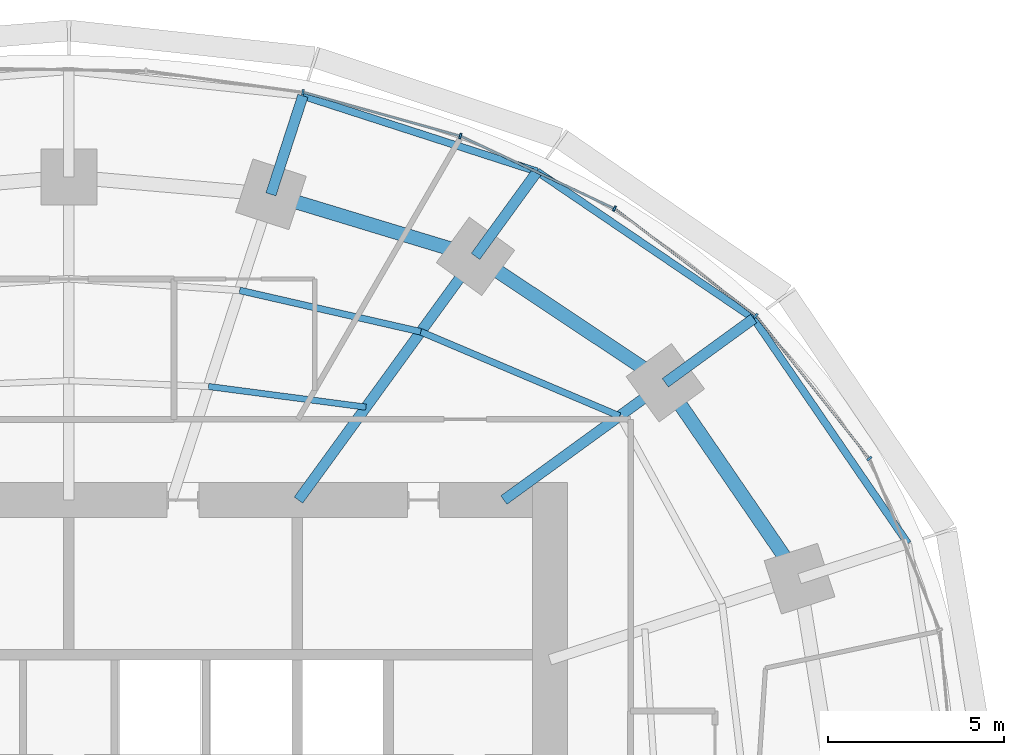
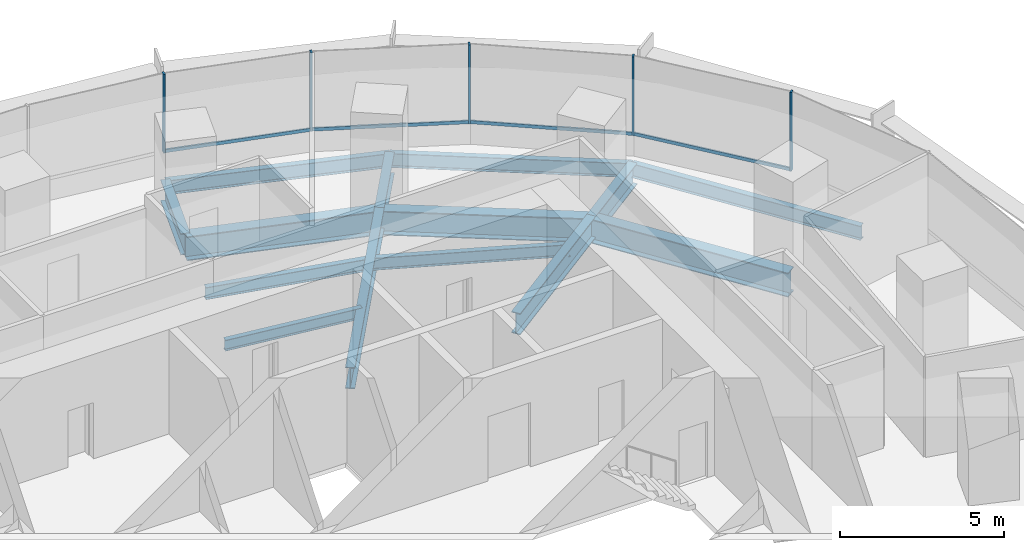
# One storey, part 8 of 14: 14 beams, 9 members, 2 elements without a shape of their own.
"""IFC4 building model written with IfcOpenShell, lengths in metres."""

from ifc_helpers import new_model, si_unit, direction, frame, origin, origin_2d, place, context, subcontext, project, spatial, rectangle, i_section, extrude, material, material_profile, profile_set, type_object, element, aggregate, save


model = new_model("IFC4")

# Units and contexts
model_context = context("Model", 3, precision=1e-05, world=origin(), true_north=direction((0.0, 1.0)))
body_context = subcontext(model_context, "Body", "Model", "MODEL_VIEW")
ifc_project = project(units=[si_unit("LENGTHUNIT", "METRE"), si_unit("AREAUNIT", "SQUARE_METRE"), si_unit("VOLUMEUNIT", "CUBIC_METRE"), si_unit("PLANEANGLEUNIT", "RADIAN"), si_unit("MASSUNIT", "GRAM", prefix="KILO")], contexts=[model_context])

# Site, building, storey
site_placement = place(None, origin())
site = spatial("IfcSite", under=ifc_project, at=site_placement, CompositionType="ELEMENT")
building_placement = place(site_placement, origin())
building = spatial("IfcBuilding", under=site, at=building_placement, Name="Marramba Exchange Tower", CompositionType="ELEMENT")
storey_placement = place(building_placement, frame((0.0, 0.0, 123.60009765625)))
storey = spatial("IfcBuildingStorey", under=building, at=storey_placement, Name="L29", CompositionType="ELEMENT", Elevation=123.60009765625)

# Beams
ifc_material_1 = material(Name="Steel AS/NZS 3679.2 grade 300", Category="steel")
ifc_material_profile_1 = material_profile(ifc_material_1, i_section(OverallWidth=0.300048828125, OverallDepth=0.800048828125, WebThickness=0.013916015625, FlangeThickness=0.031982421875, at=origin_2d()), Name="800WB192")
ifc_profile_set_1 = profile_set([ifc_material_profile_1], Name="Steel AS/NZS 3679.2 grade 300")
beam_type_1 = type_object("IfcBeamType", Name="Cantilever girder 800WB192", PredefinedType="BEAM", material=ifc_profile_set_1)
beam_1_placement = place(storey_placement, frame((16.98583984375, 12.3408203125, -0.56005859375), z_axis=(0.809013970709, 0.58778941399, 0.0), x_axis=(-0.58778941399, 0.809013970709, 0.0)))
element("IfcBeam", 1, at=beam_1_placement, inside=storey, type_object=beam_type_1, Name="Cantilever girder L29 TC03", PredefinedType="BEAM", context=body_context, shape_type="SweptSolid", body=[
    extrude(i_section(OverallWidth=0.300048828125, OverallDepth=0.800048828125, WebThickness=0.013916015625, FlangeThickness=0.031982421875, at=origin_2d()), origin(), (0.0, 0.0, 1.0), 3.1142578125),
])
beam_2_placement = place(storey_placement, frame((11.581298828125, 15.9404296875, -0.56005859375), z_axis=(0.587821738214, 0.808990484544, 0.0), x_axis=(-0.808990484544, 0.587821738214, 0.0)))
element("IfcBeam", 2, at=beam_2_placement, inside=storey, type_object=beam_type_1, Name="Cantilever girder L29 TC04", PredefinedType="BEAM", context=body_context, shape_type="SweptSolid", body=[
    extrude(i_section(OverallWidth=0.300048828125, OverallDepth=0.800048828125, WebThickness=0.013916015625, FlangeThickness=0.031982421875, at=origin_2d()), origin(), (0.0, 0.0, 1.0), 2.987060546875),
])
beam_3_placement = place(storey_placement, frame((5.75390625, 17.70849609375, -0.56005859375), z_axis=(0.309018704887, 0.951055960514, 0.0), x_axis=(-0.951055960514, 0.309018704887, 0.0)))
element("IfcBeam", 3, at=beam_3_placement, inside=storey, type_object=beam_type_1, Name="Cantilever girder L29 TC05", PredefinedType="BEAM", context=body_context, shape_type="SweptSolid", body=[
    extrude(i_section(OverallWidth=0.300048828125, OverallDepth=0.800048828125, WebThickness=0.013916015625, FlangeThickness=0.031982421875, at=origin_2d()), origin(), (0.0, 0.0, 1.0), 2.949951171875),
])
ifc_material_2 = material(Name="Steel AS/NZS 3679.1 grade 300", Category="steel")
ifc_material_profile_2 = material_profile(ifc_material_2, i_section(OverallWidth=0.177978515625, OverallDepth=0.406005859375, WebThickness=0.0078125, FlangeThickness=0.0126953125, FilletRadius=0.011474609375, at=origin_2d()), Name="410UB59.7")
ifc_profile_set_2 = profile_set([ifc_material_profile_2], Name="Steel AS/NZS 3679.1 grade 300")
beam_type_2 = type_object("IfcBeamType", Name="Floor joist 410UB59.7", PredefinedType="JOIST", material=ifc_profile_set_2)
beam_4_placement = place(storey_placement, frame((8.4619140625, 11.646728515625, -0.363037109375), z_axis=(-0.991480538255, 0.130254912618, 0.0), x_axis=(-0.130254912618, -0.991480538255, 0.0)))
element("IfcBeam", 4, at=beam_4_placement, inside=storey, type_object=beam_type_2, Name="Joist L29 bay 04 row 1", PredefinedType="JOIST", context=body_context, shape_type="SweptSolid", body=[
    extrude(i_section(OverallWidth=0.177978515625, OverallDepth=0.406005859375, WebThickness=0.0078125, FlangeThickness=0.0126953125, FilletRadius=0.011474609375, at=origin_2d()), origin(), (0.0, 0.0, 1.0), 4.524658203125),
])
ifc_material_profile_3 = material_profile(ifc_material_2, i_section(OverallWidth=0.18994140625, OverallDepth=0.4541015625, WebThickness=0.008544921875, FlangeThickness=0.0126953125, FilletRadius=0.011474609375, at=origin_2d()), Name="460UB67.1")
ifc_profile_set_3 = profile_set([ifc_material_profile_3], Name="Steel AS/NZS 3679.1 grade 300")
beam_type_3 = type_object("IfcBeamType", Name="Floor joist 460UB67.1", PredefinedType="JOIST", material=ifc_profile_set_3)
beam_5_placement = place(storey_placement, frame((15.682373046875, 11.393798828125, -0.38720703125), z_axis=(-0.920674336375, 0.390331610738, 0.0), x_axis=(-0.390331610738, -0.920674336375, 0.0)))
element("IfcBeam", 5, at=beam_5_placement, inside=storey, type_object=beam_type_3, Name="Joist L29 bay 03 row 2", PredefinedType="JOIST", context=body_context, shape_type="SweptSolid", body=[
    extrude(i_section(OverallWidth=0.18994140625, OverallDepth=0.4541015625, WebThickness=0.008544921875, FlangeThickness=0.0126953125, FilletRadius=0.011474609375, at=origin_2d()), origin(), (0.0, 0.0, 1.0), 6.1484375),
])
beam_6_placement = place(storey_placement, frame((10.021728515625, 13.793701171875, -0.38720703125), z_axis=(-0.974859652292, 0.222819788916, 0.0), x_axis=(-0.222819788916, -0.974859652292, 0.0)))
element("IfcBeam", 6, at=beam_6_placement, inside=storey, type_object=beam_type_3, Name="Joist L29 bay 04 row 2", PredefinedType="JOIST", context=body_context, shape_type="SweptSolid", body=[
    extrude(i_section(OverallWidth=0.18994140625, OverallDepth=0.4541015625, WebThickness=0.008544921875, FlangeThickness=0.0126953125, FilletRadius=0.011474609375, at=origin_2d()), origin(), (0.0, 0.0, 1.0), 5.2900390625),
])

# Curtain wall, members
ifc_material_3 = material(Name="Aluminium framing, bronze anodised", Category="aluminium")
curtain_wall_type = type_object("IfcCurtainWallType", Name="Office ribbon curtain wall", PredefinedType="USERDEFINED", material=ifc_material_3)
curtain_wall_1_placement = place(storey_placement, origin())
curtain_wall_1 = element("IfcCurtainWall", 7, at=curtain_wall_1_placement, inside=storey, type_object=curtain_wall_type, Name="Curtain wall CW4 L29 F01-F05", ObjectType="RIBBON CURTAIN WALL", PredefinedType="USERDEFINED")
ifc_material_4 = material(Name="Aluminium mullion, bronze anodised", Category="aluminium")
ifc_material_profile_4 = material_profile(ifc_material_4, rectangle(XDim=0.159912109375, YDim=0.06005859375, at=origin_2d()), Name="CW4 mullion 60x160")
ifc_profile_set_4 = profile_set([ifc_material_profile_4], Name="Aluminium mullion, bronze anodised")
member_type_1 = type_object("IfcMemberType", Name="Office ribbon curtain wall mullion", PredefinedType="MULLION", material=ifc_profile_set_4)
member_1_placement = place(storey_placement, frame((22.796630859375, 10.181640625, 0.7998046875), z_axis=(0.0, 0.0, 1.0), x_axis=(-0.783563266703, -0.621312004611, 0.0)))
member_1 = element("IfcMember", 8, at=member_1_placement, type_object=member_type_1, Name="CW4 mullion 1", PredefinedType="MULLION", context=body_context, shape_type="SweptSolid", body=[
    extrude(rectangle(XDim=0.159912109375, YDim=0.06005859375, at=origin_2d()), origin(), (0.0, 0.0, 1.0), 2.940185546875),
])
member_2_placement = place(storey_placement, frame((19.5625, 14.24853515625, 0.7998046875), z_axis=(0.0, 0.0, 1.0), x_axis=(-0.60533377223, -0.795971748366, 0.0)))
member_2 = element("IfcMember", 9, at=member_2_placement, type_object=member_type_1, Name="CW4 mullion 1", PredefinedType="MULLION", context=body_context, shape_type="SweptSolid", body=[
    extrude(rectangle(XDim=0.159912109375, YDim=0.06005859375, at=origin_2d()), origin(), (0.0, 0.0, 1.0), 2.940185546875),
])
member_3_placement = place(storey_placement, frame((15.538818359375, 17.300537109375, 0.7998046875), z_axis=(0.0, 0.0, 1.0), x_axis=(-0.426678995157, -0.904403137485, 0.0)))
member_3 = element("IfcMember", 10, at=member_3_placement, type_object=member_type_1, Name="CW4 mullion 1", PredefinedType="MULLION", context=body_context, shape_type="SweptSolid", body=[
    extrude(rectangle(XDim=0.159912109375, YDim=0.06005859375, at=origin_2d()), origin(), (0.0, 0.0, 1.0), 2.940185546875),
])

curtain_wall_2_placement = place(storey_placement, origin())
curtain_wall_2 = element("IfcCurtainWall", 11, at=curtain_wall_2_placement, inside=storey, type_object=curtain_wall_type, Name="Curtain wall CW4 L29 F06-F10", ObjectType="RIBBON CURTAIN WALL", PredefinedType="USERDEFINED")
member_4_placement = place(storey_placement, frame((11.147705078125, 19.366455078125, 0.7998046875), z_axis=(0.0, 0.0, 1.0), x_axis=(-0.268865090816, -0.963177845956, 0.0)))
member_4 = element("IfcMember", 12, at=member_4_placement, type_object=member_type_1, Name="CW4 mullion 1", PredefinedType="MULLION", context=body_context, shape_type="SweptSolid", body=[
    extrude(rectangle(XDim=0.159912109375, YDim=0.06005859375, at=origin_2d()), origin(), (0.0, 0.0, 1.0), 2.940185546875),
])
member_5_placement = place(storey_placement, frame((6.66650390625, 20.61328125, 0.7998046875), z_axis=(0.0, 0.0, 1.0), x_axis=(-0.135785837319, -0.990738212841, 0.0)))
member_5 = element("IfcMember", 13, at=member_5_placement, type_object=member_type_1, Name="CW4 mullion 1", PredefinedType="MULLION", context=body_context, shape_type="SweptSolid", body=[
    extrude(rectangle(XDim=0.159912109375, YDim=0.06005859375, at=origin_2d()), origin(), (0.0, 0.0, 1.0), 2.940185546875),
])

# Member
ifc_material_5 = material(Name="Aluminium transom, bronze anodised", Category="aluminium")
ifc_material_profile_5 = material_profile(ifc_material_5, rectangle(XDim=0.06005859375, YDim=0.1201171875, at=origin_2d()), Name="CW4 transom 60x120")
ifc_profile_set_5 = profile_set([ifc_material_profile_5], Name="Aluminium transom, bronze anodised")
member_type_2 = type_object("IfcMemberType", Name="Office ribbon curtain wall transom", PredefinedType="USERDEFINED", material=ifc_profile_set_5)
member_6_placement = place(storey_placement, frame((22.778076171875, 10.205078125, 0.829833984375), z_axis=(-0.621339379472, 0.783541559534, 0.0), x_axis=(-0.783541559534, -0.621339379472, 0.0)))
member_6 = element("IfcMember", 14, at=member_6_placement, type_object=member_type_2, Name="CW4 sill transom", ObjectType="TRANSOM", PredefinedType="USERDEFINED", context=body_context, shape_type="SweptSolid", body=[
    extrude(rectangle(XDim=0.06005859375, YDim=0.1201171875, at=origin_2d()), origin(), (0.0, 0.0, 1.0), 5.13720703125),
])

member_7_placement = place(storey_placement, frame((19.53857421875, 14.2666015625, 0.829833984375), z_axis=(-0.7959906025, 0.605308979556, 0.0), x_axis=(-0.605308979556, -0.7959906025, 0.0)))
member_7 = element("IfcMember", 15, at=member_7_placement, type_object=member_type_2, Name="CW4 sill transom", ObjectType="TRANSOM", PredefinedType="USERDEFINED", context=body_context, shape_type="SweptSolid", body=[
    extrude(rectangle(XDim=0.06005859375, YDim=0.1201171875, at=origin_2d()), origin(), (0.0, 0.0, 1.0), 4.99072265625),
])

member_8_placement = place(storey_placement, frame((15.51171875, 17.313232421875, 0.829833984375), z_axis=(-0.904410826824, 0.426662696193, 0.0), x_axis=(-0.426662696193, -0.904410826824, 0.0)))
member_8 = element("IfcMember", 16, at=member_8_placement, type_object=member_type_2, Name="CW4 sill transom", ObjectType="TRANSOM", PredefinedType="USERDEFINED", context=body_context, shape_type="SweptSolid", body=[
    extrude(rectangle(XDim=0.06005859375, YDim=0.1201171875, at=origin_2d()), origin(), (0.0, 0.0, 1.0), 4.79345703125),
])

aggregate(curtain_wall_1, [member_1, member_6, member_2, member_7, member_3, member_8])

member_9_placement = place(storey_placement, frame((11.118896484375, 19.37451171875, 0.829833984375), z_axis=(-0.963173567938, 0.268880415847, 0.0), x_axis=(-0.268880415847, -0.963173567938, 0.0)))
member_9 = element("IfcMember", 17, at=member_9_placement, type_object=member_type_2, Name="CW4 sill transom", ObjectType="TRANSOM", PredefinedType="USERDEFINED", context=body_context, shape_type="SweptSolid", body=[
    extrude(rectangle(XDim=0.06005859375, YDim=0.1201171875, at=origin_2d()), origin(), (0.0, 0.0, 1.0), 4.591796875),
])

aggregate(curtain_wall_2, [member_4, member_9, member_5])

# Beams
ifc_material_profile_6 = material_profile(ifc_material_1, i_section(OverallWidth=0.300048828125, OverallDepth=0.800048828125, WebThickness=0.013916015625, FlangeThickness=0.031982421875, at=origin_2d()), Name="800WB192")
ifc_profile_set_6 = profile_set([ifc_material_profile_6], Name="Steel AS/NZS 3679.2 grade 300")
beam_type_4 = type_object("IfcBeamType", Name="Radial girder 800WB192", PredefinedType="BEAM", material=ifc_profile_set_6)
beam_7_placement = place(storey_placement, frame((12.387451171875, 9.0, -0.56005859375), z_axis=(0.809025746925, 0.587773205252, 0.0), x_axis=(-0.587773205252, 0.809025746925, 0.0)))
element("IfcBeam", 18, at=beam_7_placement, inside=storey, type_object=beam_type_4, Name="Radial girder L29 TC03", PredefinedType="BEAM", context=body_context, shape_type="SweptSolid", body=[
    extrude(i_section(OverallWidth=0.300048828125, OverallDepth=0.800048828125, WebThickness=0.013916015625, FlangeThickness=0.031982421875, at=origin_2d()), origin(), (0.0, 0.0, 1.0), 5.683837890625),
])
beam_8_placement = place(storey_placement, frame((6.538818359375, 9.0, -0.56005859375), z_axis=(0.587782439969, 0.80901903764, 0.0), x_axis=(-0.80901903764, 0.587782439969, 0.0)))
element("IfcBeam", 19, at=beam_8_placement, inside=storey, type_object=beam_type_4, Name="Radial girder L29 TC04", PredefinedType="BEAM", context=body_context, shape_type="SweptSolid", body=[
    extrude(i_section(OverallWidth=0.300048828125, OverallDepth=0.800048828125, WebThickness=0.013916015625, FlangeThickness=0.031982421875, at=origin_2d()), origin(), (0.0, 0.0, 1.0), 8.578857421875),
])
ifc_material_profile_7 = material_profile(ifc_material_1, i_section(OverallWidth=0.39990234375, OverallDepth=0.89990234375, WebThickness=0.01611328125, FlangeThickness=0.031982421875, at=origin_2d()), Name="900WB282")
ifc_profile_set_7 = profile_set([ifc_material_profile_7], Name="Steel AS/NZS 3679.2 grade 300")
beam_type_5 = type_object("IfcBeamType", Name="Ring beam 900WB282", PredefinedType="SPANDREL", material=ifc_profile_set_7)
beam_9_placement = place(storey_placement, frame((20.808349609375, 6.760986328125, -0.610107421875), z_axis=(-0.56516002054, 0.824981303535, 0.0), x_axis=(-0.824981303535, -0.56516002054, 0.0)))
element("IfcBeam", 20, at=beam_9_placement, inside=storey, type_object=beam_type_5, Name="Ring beam L29 TC02-TC03", PredefinedType="SPANDREL", context=body_context, shape_type="SweptSolid", body=[
    extrude(i_section(OverallWidth=0.39990234375, OverallDepth=0.89990234375, WebThickness=0.01611328125, FlangeThickness=0.031982421875, at=origin_2d()), origin(), (0.0, 0.0, 1.0), 6.763671875),
])
beam_10_placement = place(storey_placement, frame((16.98583984375, 12.3408203125, -0.610107421875), z_axis=(-0.832293151443, 0.554335737673, 0.0), x_axis=(-0.554335737673, -0.832293151443, 0.0)))
element("IfcBeam", 21, at=beam_10_placement, inside=storey, type_object=beam_type_5, Name="Ring beam L29 TC03-TC04", PredefinedType="SPANDREL", context=body_context, shape_type="SweptSolid", body=[
    extrude(i_section(OverallWidth=0.39990234375, OverallDepth=0.89990234375, WebThickness=0.01611328125, FlangeThickness=0.031982421875, at=origin_2d()), origin(), (0.0, 0.0, 1.0), 6.49365234375),
])
beam_11_placement = place(storey_placement, frame((11.581298828125, 15.9404296875, -0.610107421875), z_axis=(-0.956924542524, 0.290336735387, 0.0), x_axis=(-0.290336735387, -0.956924542524, 0.0)))
element("IfcBeam", 22, at=beam_11_placement, inside=storey, type_object=beam_type_5, Name="Ring beam L29 TC04-TC05", PredefinedType="SPANDREL", context=body_context, shape_type="SweptSolid", body=[
    extrude(i_section(OverallWidth=0.39990234375, OverallDepth=0.89990234375, WebThickness=0.01611328125, FlangeThickness=0.031982421875, at=origin_2d()), origin(), (0.0, 0.0, 1.0), 6.089599609375),
])
ifc_material_profile_8 = material_profile(ifc_material_2, i_section(OverallWidth=0.208984375, OverallDepth=0.528076171875, WebThickness=0.009521484375, FlangeThickness=0.01318359375, FilletRadius=0.013916015625, at=origin_2d()), Name="530UB82.0")
ifc_profile_set_8 = profile_set([ifc_material_profile_8], Name="Steel AS/NZS 3679.1 grade 300")
beam_type_6 = type_object("IfcBeamType", Name="Slab edge beam 530UB82.0", PredefinedType="SPANDREL", material=ifc_profile_set_8)
beam_12_placement = place(storey_placement, frame((23.89501953125, 7.763916015625, -0.424072265625), z_axis=(-0.56517400038, 0.824971726361, 0.0), x_axis=(-0.824971726361, -0.56517400038, 0.0)))
element("IfcBeam", 23, at=beam_12_placement, inside=storey, type_object=beam_type_6, Name="Slab edge beam L29 TC02-TC03", PredefinedType="SPANDREL", context=body_context, shape_type="SweptSolid", body=[
    extrude(i_section(OverallWidth=0.208984375, OverallDepth=0.528076171875, WebThickness=0.009521484375, FlangeThickness=0.01318359375, FilletRadius=0.013916015625, at=origin_2d()), origin(), (0.0, 0.0, 1.0), 7.766845703125),
])
beam_13_placement = place(storey_placement, frame((19.50537109375, 14.17138671875, -0.424072265625), z_axis=(-0.827477404833, 0.561499015574, 0.0), x_axis=(-0.561499015574, -0.827477404833, 0.0)))
element("IfcBeam", 24, at=beam_13_placement, inside=storey, type_object=beam_type_6, Name="Slab edge beam L29 TC03-TC04", PredefinedType="SPANDREL", context=body_context, shape_type="SweptSolid", body=[
    extrude(i_section(OverallWidth=0.208984375, OverallDepth=0.528076171875, WebThickness=0.009521484375, FlangeThickness=0.01318359375, FilletRadius=0.013916015625, at=origin_2d()), origin(), (0.0, 0.0, 1.0), 7.454345703125),
])
beam_14_placement = place(storey_placement, frame((13.337158203125, 18.35693359375, -0.424072265625), z_axis=(-0.951496392577, 0.307659901373, 0.0), x_axis=(-0.307659901373, -0.951496392577, 0.0)))
element("IfcBeam", 25, at=beam_14_placement, inside=storey, type_object=beam_type_6, Name="Slab edge beam L29 TC04-TC05", PredefinedType="SPANDREL", context=body_context, shape_type="SweptSolid", body=[
    extrude(i_section(OverallWidth=0.208984375, OverallDepth=0.528076171875, WebThickness=0.009521484375, FlangeThickness=0.01318359375, FilletRadius=0.013916015625, at=origin_2d()), origin(), (0.0, 0.0, 1.0), 7.01171875),
])

save(model, "model.ifc")
